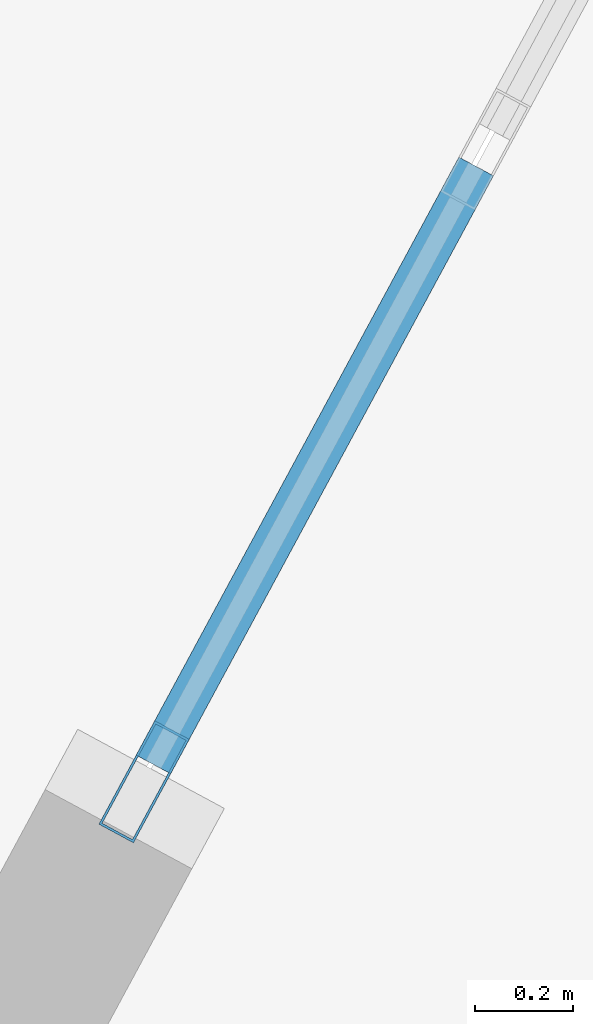
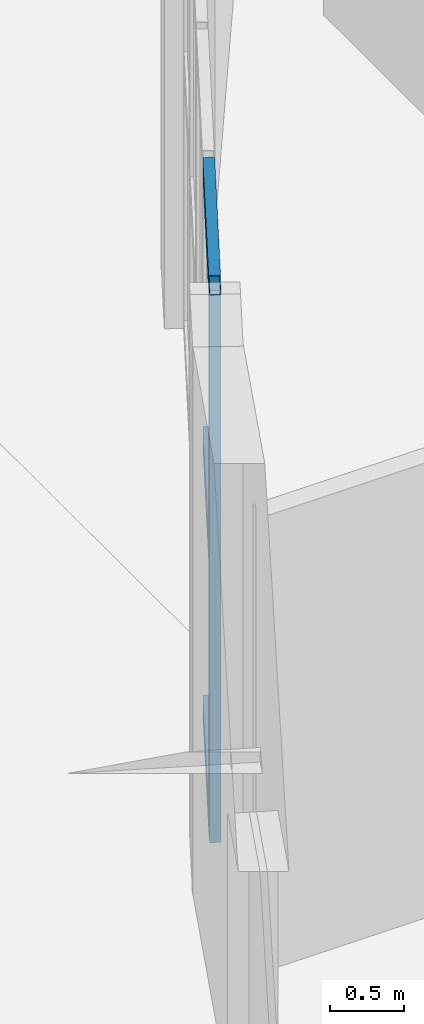
# One storey, part 8 of 32: 4 members, 1 element without a shape of its own.
"""IFC4 building model written with IfcOpenShell, lengths in metres."""

from ifc_helpers import new_model, si_unit, direction, frame, origin, origin_2d, place, context, subcontext, project, spatial, hollow_rectangle, extrude, material, layer, layer_set, material_profile, profile_set, type_object, element, aggregate, save


model = new_model("IFC4")

# Units and contexts
model_context = context("Model", 3, precision=1e-05, world=origin(), true_north=direction((0.0, 1.0)))
body_context = subcontext(model_context, "Body", "Model", "MODEL_VIEW")
ifc_project = project(units=[si_unit("LENGTHUNIT", "METRE"), si_unit("AREAUNIT", "SQUARE_METRE"), si_unit("VOLUMEUNIT", "CUBIC_METRE"), si_unit("PLANEANGLEUNIT", "RADIAN"), si_unit("MASSUNIT", "GRAM", prefix="KILO")], contexts=[model_context])

# Site, building, storey
site_placement = place(None, origin())
site = spatial("IfcSite", under=ifc_project, at=site_placement, CompositionType="ELEMENT")
building_placement = place(site_placement, origin())
building = spatial("IfcBuilding", under=site, at=building_placement, Name="Miruveldt Soraemaru", CompositionType="ELEMENT")
storey_placement = place(building_placement, origin())
storey = spatial("IfcBuildingStorey", under=building, at=storey_placement, Name="L01", CompositionType="ELEMENT", Elevation=0.0)

# Curtain wall, members
ifc_material = material(Name="Anodised aluminium EN AW-6063 T6", Category="aluminium")
ifc_layer = layer(ifc_material, 0.239990234375, Name="Anodised aluminium EN AW-6063 T6", Category="aluminium")
ifc_layer_set = layer_set([ifc_layer], Name="Anodised aluminium EN AW-6063 T6")
curtain_wall_type = type_object("IfcCurtainWallType", Name="CW-SYS-1", PredefinedType="USERDEFINED", material=ifc_layer_set)
curtain_wall_placement = place(storey_placement, origin())
curtain_wall = element("IfcCurtainWall", 1, at=curtain_wall_placement, inside=storey, type_object=curtain_wall_type, Name="L01 Curtain Wall Bay 11", ObjectType="STOREFRONT", PredefinedType="USERDEFINED")
ifc_material_profile_1 = material_profile(ifc_material, hollow_rectangle(XDim=0.080078125, YDim=0.239990234375, WallThickness=0.0048828125, at=origin_2d()), Name="Anodised aluminium EN AW-6063 T6", Category="aluminium")
ifc_profile_set_1 = profile_set([ifc_material_profile_1], Name="Anodised aluminium EN AW-6063 T6")
member_type_1 = type_object("IfcMemberType", Name="CWM-1", PredefinedType="MULLION", material=ifc_profile_set_1)
member_1_placement = place(storey_placement, frame((16.969970703125, 48.256591796875, 0.0), z_axis=(0.0, 0.0, 1.0), x_axis=(0.880012047341, -0.474951362284, 0.0)))
member_1 = element("IfcMember", 2, at=member_1_placement, type_object=member_type_1, Name="CW-1 mullion 5", PredefinedType="MULLION", context=body_context, shape_type="SweptSolid", body=[
    extrude(hollow_rectangle(XDim=0.080078125, YDim=0.239990234375, WallThickness=0.0048828125, at=origin_2d()), origin(), (0.0, 0.0, 1.0), 4.5),
])
ifc_material_profile_2 = material_profile(ifc_material, hollow_rectangle(XDim=0.080078125, YDim=0.179931640625, WallThickness=0.00390625, at=origin_2d()), Name="Anodised aluminium EN AW-6063 T6", Category="aluminium")
ifc_profile_set_2 = profile_set([ifc_material_profile_2], Name="Anodised aluminium EN AW-6063 T6")
member_type_2 = type_object("IfcMemberType", Name="CWT-1", PredefinedType="USERDEFINED", material=ifc_profile_set_2)
member_2_placement = place(storey_placement, frame((17.647705078125, 49.512451171875, 0.0400390625), z_axis=(-0.474949912844, -0.880012829617, 0.0), x_axis=(0.880012829617, -0.474949912844, 0.0)))
member_2 = element("IfcMember", 3, at=member_2_placement, type_object=member_type_2, Name="CW-1 transom 4.1", ObjectType="TRANSOM", PredefinedType="USERDEFINED", context=body_context, shape_type="SweptSolid", body=[
    extrude(hollow_rectangle(XDim=0.080078125, YDim=0.179931640625, WallThickness=0.00390625, at=origin_2d()), origin(), (0.0, 0.0, 1.0), 1.386962890625),
])
member_3_placement = place(storey_placement, frame((17.647705078125, 49.512451171875, 2.25), z_axis=(-0.474949912844, -0.880012829617, 0.0), x_axis=(0.880012829617, -0.474949912844, 0.0)))
member_3 = element("IfcMember", 4, at=member_3_placement, type_object=member_type_2, Name="CW-1 transom 4.2", ObjectType="TRANSOM", PredefinedType="USERDEFINED", context=body_context, shape_type="SweptSolid", body=[
    extrude(hollow_rectangle(XDim=0.080078125, YDim=0.179931640625, WallThickness=0.00390625, at=origin_2d()), origin(), (0.0, 0.0, 1.0), 1.386962890625),
])
member_4_placement = place(storey_placement, frame((17.647705078125, 49.512451171875, 4.4599609375), z_axis=(-0.474949912844, -0.880012829617, 0.0), x_axis=(0.880012829617, -0.474949912844, 0.0)))
member_4 = element("IfcMember", 5, at=member_4_placement, type_object=member_type_2, Name="CW-1 transom 4.3", ObjectType="TRANSOM", PredefinedType="USERDEFINED", context=body_context, shape_type="SweptSolid", body=[
    extrude(hollow_rectangle(XDim=0.080078125, YDim=0.179931640625, WallThickness=0.00390625, at=origin_2d()), origin(), (0.0, 0.0, 1.0), 1.386962890625),
])
aggregate(curtain_wall, [member_1, member_2, member_3, member_4])

save(model, "model.ifc")
